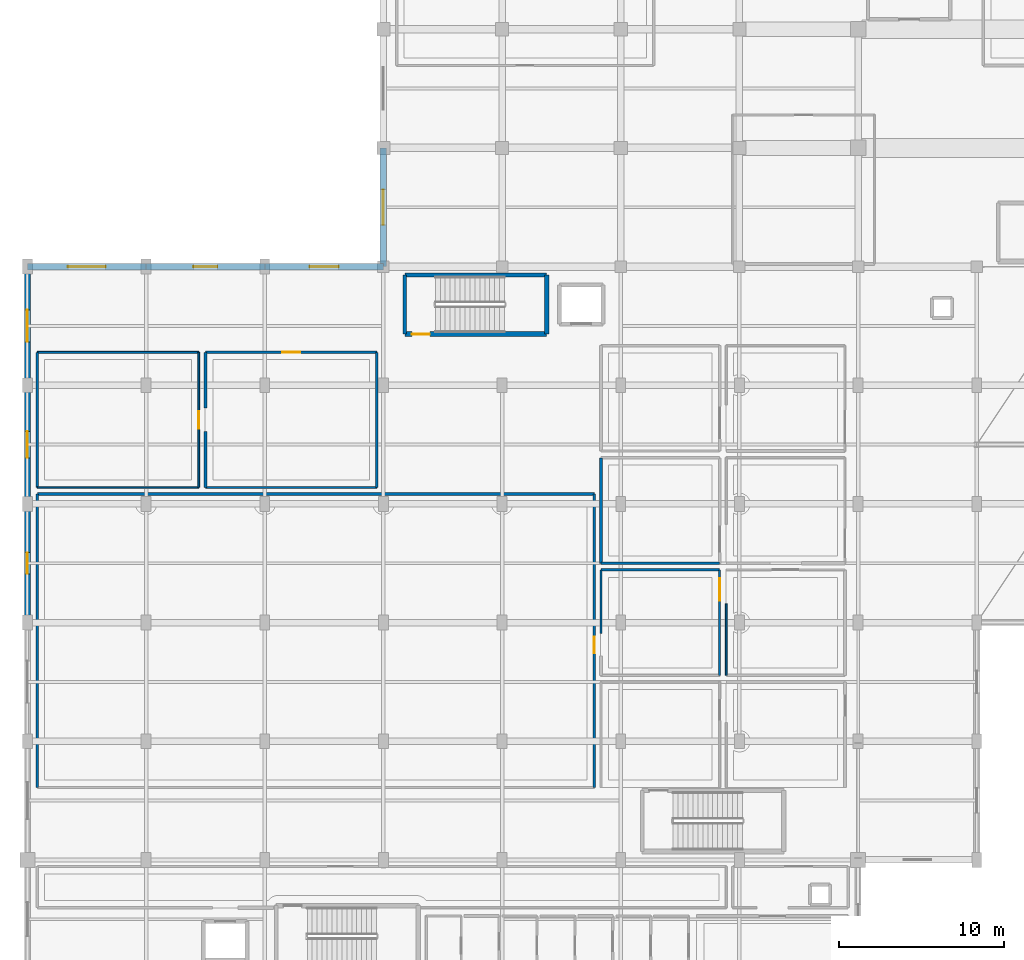
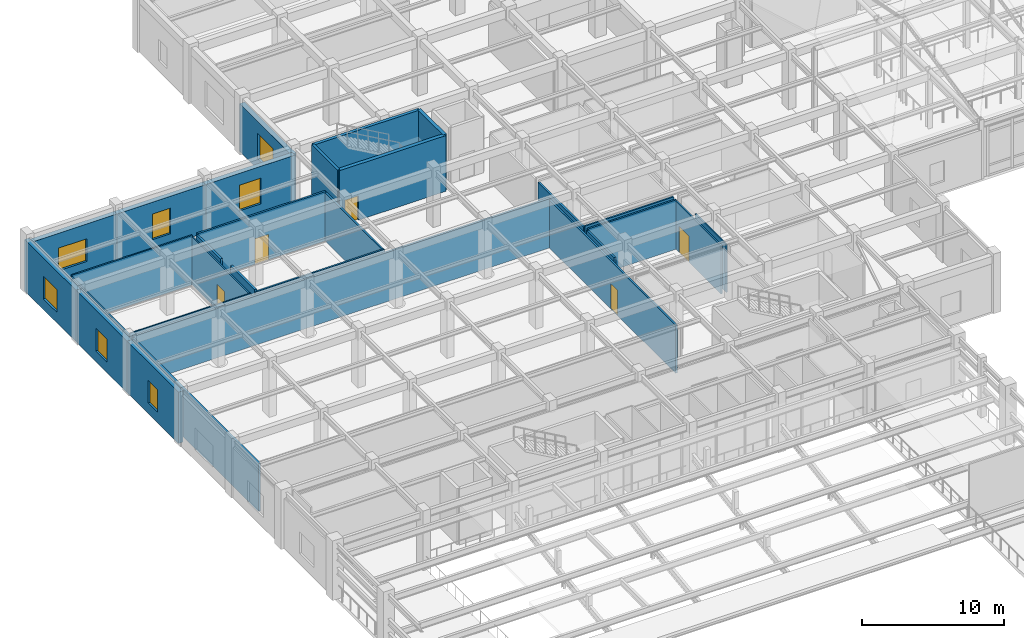
# One storey, part 89 of 117: 29 walls, 7 windows, 5 doors, 12 openings.
"""IFC4 building model written with IfcOpenShell, lengths in metres."""

from ifc_helpers import new_model, si_unit, direction, frame, frame_2d, origin, place, context, subcontext, project, spatial, rectangle, extrude, material, layer, layer_set, type_object, element, fill, save


model = new_model("IFC4")

# Units and contexts
model_context = context("Model", 3, precision=1e-05, world=origin(), true_north=direction((0.0, 1.0)))
body_context = subcontext(model_context, "Body", "Model", "MODEL_VIEW")
ifc_project = project(units=[si_unit("LENGTHUNIT", "METRE"), si_unit("AREAUNIT", "SQUARE_METRE"), si_unit("VOLUMEUNIT", "CUBIC_METRE"), si_unit("PLANEANGLEUNIT", "RADIAN"), si_unit("MASSUNIT", "GRAM", prefix="KILO")], contexts=[model_context])

# Site, building, storey
site_placement = place(None, origin())
site = spatial("IfcSite", under=ifc_project, at=site_placement, CompositionType="ELEMENT")
building_placement = place(site_placement, origin())
building = spatial("IfcBuilding", under=site, at=building_placement, Name="Carrowvane Square Congress Hotel", CompositionType="ELEMENT")
storey_placement = place(building_placement, frame((0.0, 0.0, 5.39990234375)))
storey = spatial("IfcBuildingStorey", under=building, at=storey_placement, Name="L01", CompositionType="ELEMENT", Elevation=5.39990234375)

# Wall, opening, window
ifc_material_1 = material(Name="Portland limestone cladding", Category="masonry")
ifc_layer_1 = layer(ifc_material_1, 0.3798828125)
ifc_layer_set_1 = layer_set([ifc_layer_1], Name="Portland limestone cladding")
wall_type_1 = type_object("IfcWallType", Name="WL-EXT-LS380", PredefinedType="STANDARD", material=ifc_layer_set_1)
wall_1_placement = place(storey_placement, frame((11.60009765625, 70.199951171875, 0.0), z_axis=(0.0, 0.0, 1.0), x_axis=(0.0, 1.0, 0.0)))
wall_1 = element("IfcWall", 1, at=wall_1_placement, inside=storey, type_object=wall_type_1, Name="L01 exterior facade wall 207", PredefinedType="STANDARD", context=body_context, shape_type="SweptSolid", body=[
    extrude(rectangle(XDim=7.199951171875, YDim=0.3798828125, at=frame_2d((3.60009765625, 0.0))), origin(), (0.0, 0.0, 1.0), 4.406982421875),
])
opening_1_placement = place(wall_1_placement, frame((2.949951171875, 0.0, 0.89990234375)))
opening_1 = element("IfcOpeningElement", 2, at=opening_1_placement, cuts=wall_1, Name="Opening W-29", PredefinedType="OPENING", context=body_context, shape_type="SweptSolid", body=[
    extrude(rectangle(XDim=1.300048828125, YDim=1.949951171875, at=frame_2d((0.64990234375, 0.97509765625))), frame((0.0, 0.199951171875, 0.0), z_axis=(0.0, -1.0, 0.0), x_axis=(1.0, 0.0, 0.0)), (0.0, 0.0, 1.0), 0.39990234375),
])
ifc_material_2 = material(Name="Double-glazed low-E glass", Category="glass")
window_type_1 = type_object("IfcWindowType", Name="WIN-29", PartitioningType="SINGLE_PANEL", PredefinedType="WINDOW", material=ifc_material_2)
window_1_placement = place(opening_1_placement, origin())
window_1 = element("IfcWindow", 3, at=window_1_placement, inside=storey, type_object=window_type_1, Name="L01 facade window 34", OverallHeight=1.949951171875, OverallWidth=1.300048828125, PartitioningType="SINGLE_PANEL", PredefinedType="WINDOW", context=body_context, shape_type="SweptSolid", body=[
    extrude(rectangle(XDim=1.300048828125, YDim=1.949951171875, at=frame_2d((0.64990234375, 0.97509765625))), frame((0.0, 0.030029296875, 0.0), z_axis=(0.0, -1.0, 0.0), x_axis=(1.0, 0.0, 0.0)), (0.0, 0.0, 1.0), 0.06005859375),
])
fill(opening_1, window_1)

wall_2_placement = place(storey_placement, frame((11.60009765625, 77.39990234375, 0.0), z_axis=(0.0, 0.0, 1.0), x_axis=(0.0, 1.0, 0.0)))
wall_2 = element("IfcWall", 4, at=wall_2_placement, inside=storey, type_object=wall_type_1, Name="L01 exterior facade wall 208", PredefinedType="STANDARD", context=body_context, shape_type="SweptSolid", body=[
    extrude(rectangle(XDim=7.2001953125, YDim=0.3798828125, at=frame_2d((3.60009765625, 0.0))), origin(), (0.0, 0.0, 1.0), 4.406982421875),
])
opening_2_placement = place(wall_2_placement, frame((2.800048828125, 0.0, 0.89990234375)))
opening_2 = element("IfcOpeningElement", 5, at=opening_2_placement, cuts=wall_2, Name="Opening W-30", PredefinedType="OPENING", context=body_context, shape_type="SweptSolid", body=[
    extrude(rectangle(XDim=1.60009765625, YDim=1.949951171875, at=frame_2d((0.800048828125, 0.97509765625))), frame((0.0, 0.199951171875, 0.0), z_axis=(0.0, -1.0, 0.0), x_axis=(1.0, 0.0, 0.0)), (0.0, 0.0, 1.0), 0.39990234375),
])
ifc_material_3 = material(Name="Double-glazed low-E glass", Category="glass")
window_type_2 = type_object("IfcWindowType", Name="WIN-30", PartitioningType="SINGLE_PANEL", PredefinedType="WINDOW", material=ifc_material_3)
window_2_placement = place(opening_2_placement, origin())
window_2 = element("IfcWindow", 6, at=window_2_placement, inside=storey, type_object=window_type_2, Name="L01 facade window 35", OverallHeight=1.949951171875, OverallWidth=1.60009765625, PartitioningType="SINGLE_PANEL", PredefinedType="WINDOW", context=body_context, shape_type="SweptSolid", body=[
    extrude(rectangle(XDim=1.60009765625, YDim=1.949951171875, at=frame_2d((0.800048828125, 0.97509765625))), frame((0.0, 0.030029296875, 0.0), z_axis=(0.0, -1.0, 0.0), x_axis=(1.0, 0.0, 0.0)), (0.0, 0.0, 1.0), 0.06005859375),
])
fill(opening_2, window_2)

wall_3_placement = place(storey_placement, frame((11.60009765625, 84.60009765625, 0.0), z_axis=(0.0, 0.0, 1.0), x_axis=(0.0, 1.0, 0.0)))
wall_3 = element("IfcWall", 7, at=wall_3_placement, inside=storey, type_object=wall_type_1, Name="L01 exterior facade wall 209", PredefinedType="STANDARD", context=body_context, shape_type="SweptSolid", body=[
    extrude(rectangle(XDim=7.199951171875, YDim=0.3798828125, at=frame_2d((3.60009765625, 0.0))), origin(), (0.0, 0.0, 1.0), 4.406982421875),
])
opening_3_placement = place(wall_3_placement, frame((2.625, 0.0, 0.89990234375)))
opening_3 = element("IfcOpeningElement", 8, at=opening_3_placement, cuts=wall_3, Name="Opening W-31", PredefinedType="OPENING", context=body_context, shape_type="SweptSolid", body=[
    extrude(rectangle(XDim=1.949951171875, YDim=1.949951171875, at=frame_2d((0.97509765625, 0.97509765625))), frame((0.0, 0.199951171875, 0.0), z_axis=(0.0, -1.0, 0.0), x_axis=(1.0, 0.0, 0.0)), (0.0, 0.0, 1.0), 0.39990234375),
])
ifc_material_4 = material(Name="Double-glazed low-E glass", Category="glass")
window_type_3 = type_object("IfcWindowType", Name="WIN-31", PartitioningType="SINGLE_PANEL", PredefinedType="WINDOW", material=ifc_material_4)
window_3_placement = place(opening_3_placement, origin())
window_3 = element("IfcWindow", 9, at=window_3_placement, inside=storey, type_object=window_type_3, Name="L01 facade window 36", OverallHeight=1.949951171875, OverallWidth=1.949951171875, PartitioningType="SINGLE_PANEL", PredefinedType="WINDOW", context=body_context, shape_type="SweptSolid", body=[
    extrude(rectangle(XDim=1.949951171875, YDim=1.949951171875, at=frame_2d((0.97509765625, 0.97509765625))), frame((0.0, 0.030029296875, 0.0), z_axis=(0.0, -1.0, 0.0), x_axis=(1.0, 0.0, 0.0)), (0.0, 0.0, 1.0), 0.06005859375),
])
fill(opening_3, window_3)

ifc_material_5 = material(Name="Glazed terracotta rainscreen", Category="masonry")
ifc_layer_2 = layer(ifc_material_5, 0.39990234375)
ifc_layer_set_2 = layer_set([ifc_layer_2], Name="Glazed terracotta rainscreen")
wall_type_2 = type_object("IfcWallType", Name="WL-EXT-TC400", PredefinedType="STANDARD", material=ifc_layer_set_2)
wall_4_placement = place(storey_placement, frame((11.60009765625, 91.800048828125, 0.0), z_axis=(0.0, 0.0, 1.0), x_axis=(1.0, 0.0, 0.0)))
wall_4 = element("IfcWall", 10, at=wall_4_placement, inside=storey, type_object=wall_type_2, Name="L01 exterior facade wall 210", PredefinedType="STANDARD", context=body_context, shape_type="SweptSolid", body=[
    extrude(rectangle(XDim=7.199951171875, YDim=0.39990234375, at=frame_2d((3.60009765625, 0.0))), origin(), (0.0, 0.0, 1.0), 4.114990234375),
])
opening_4_placement = place(wall_4_placement, frame((2.449951171875, 0.0, 0.89990234375)))
opening_4 = element("IfcOpeningElement", 11, at=opening_4_placement, cuts=wall_4, Name="Opening W-32", PredefinedType="OPENING", context=body_context, shape_type="SweptSolid", body=[
    extrude(rectangle(XDim=2.300048828125, YDim=1.949951171875, at=frame_2d((1.14990234375, 0.97509765625))), frame((0.0, 0.2099609375, 0.0), z_axis=(0.0, -1.0, 0.0), x_axis=(1.0, 0.0, 0.0)), (0.0, 0.0, 1.0), 0.419921875),
])
ifc_material_6 = material(Name="Double-glazed low-E glass", Category="glass")
window_type_4 = type_object("IfcWindowType", Name="WIN-32", PartitioningType="SINGLE_PANEL", PredefinedType="WINDOW", material=ifc_material_6)
window_4_placement = place(opening_4_placement, origin())
window_4 = element("IfcWindow", 12, at=window_4_placement, inside=storey, type_object=window_type_4, Name="L01 facade window 37", OverallHeight=1.949951171875, OverallWidth=2.300048828125, PartitioningType="SINGLE_PANEL", PredefinedType="WINDOW", context=body_context, shape_type="SweptSolid", body=[
    extrude(rectangle(XDim=2.300048828125, YDim=1.949951171875, at=frame_2d((1.14990234375, 0.97509765625))), frame((0.0, 0.030029296875, 0.0), z_axis=(0.0, -1.0, 0.0), x_axis=(1.0, 0.0, 0.0)), (0.0, 0.0, 1.0), 0.06005859375),
])
fill(opening_4, window_4)

wall_5_placement = place(storey_placement, frame((18.800048828125, 91.800048828125, 0.0), z_axis=(0.0, 0.0, 1.0), x_axis=(1.0, 0.0, 0.0)))
wall_5 = element("IfcWall", 13, at=wall_5_placement, inside=storey, type_object=wall_type_2, Name="L01 exterior facade wall 211", PredefinedType="STANDARD", context=body_context, shape_type="SweptSolid", body=[
    extrude(rectangle(XDim=7.199951171875, YDim=0.39990234375, at=frame_2d((3.60009765625, 0.0))), origin(), (0.0, 0.0, 1.0), 4.114990234375),
])
opening_5_placement = place(wall_5_placement, frame((2.875, 0.0, 0.89990234375)))
opening_5 = element("IfcOpeningElement", 14, at=opening_5_placement, cuts=wall_5, Name="Opening W-33", PredefinedType="OPENING", context=body_context, shape_type="SweptSolid", body=[
    extrude(rectangle(XDim=1.449951171875, YDim=2.199951171875, at=frame_2d((0.72509765625, 1.10009765625))), frame((0.0, 0.2099609375, 0.0), z_axis=(0.0, -1.0, 0.0), x_axis=(1.0, 0.0, 0.0)), (0.0, 0.0, 1.0), 0.419921875),
])
ifc_material_7 = material(Name="Double-glazed low-E glass", Category="glass")
window_type_5 = type_object("IfcWindowType", Name="WIN-33", PartitioningType="SINGLE_PANEL", PredefinedType="WINDOW", material=ifc_material_7)
window_5_placement = place(opening_5_placement, origin())
window_5 = element("IfcWindow", 15, at=window_5_placement, inside=storey, type_object=window_type_5, Name="L01 facade window 38", OverallHeight=2.199951171875, OverallWidth=1.449951171875, PartitioningType="SINGLE_PANEL", PredefinedType="WINDOW", context=body_context, shape_type="SweptSolid", body=[
    extrude(rectangle(XDim=1.449951171875, YDim=2.199951171875, at=frame_2d((0.72509765625, 1.10009765625))), frame((0.0, 0.030029296875, 0.0), z_axis=(0.0, -1.0, 0.0), x_axis=(1.0, 0.0, 0.0)), (0.0, 0.0, 1.0), 0.06005859375),
])
fill(opening_5, window_5)

wall_6_placement = place(storey_placement, frame((26.0, 91.800048828125, 0.0), z_axis=(0.0, 0.0, 1.0), x_axis=(1.0, 0.0, 0.0)))
wall_6 = element("IfcWall", 16, at=wall_6_placement, inside=storey, type_object=wall_type_2, Name="L01 exterior facade wall 212", PredefinedType="STANDARD", context=body_context, shape_type="SweptSolid", body=[
    extrude(rectangle(XDim=7.199951171875, YDim=0.39990234375, at=frame_2d((3.60009765625, 0.0))), origin(), (0.0, 0.0, 1.0), 4.114990234375),
])
opening_6_placement = place(wall_6_placement, frame((2.72509765625, 0.0, 0.89990234375)))
opening_6 = element("IfcOpeningElement", 17, at=opening_6_placement, cuts=wall_6, Name="Opening W-34", PredefinedType="OPENING", context=body_context, shape_type="SweptSolid", body=[
    extrude(rectangle(XDim=1.75, YDim=2.199951171875, at=frame_2d((0.875, 1.10009765625))), frame((0.0, 0.2099609375, 0.0), z_axis=(0.0, -1.0, 0.0), x_axis=(1.0, 0.0, 0.0)), (0.0, 0.0, 1.0), 0.419921875),
])
ifc_material_8 = material(Name="Double-glazed low-E glass", Category="glass")
window_type_6 = type_object("IfcWindowType", Name="WIN-34", PartitioningType="SINGLE_PANEL", PredefinedType="WINDOW", material=ifc_material_8)
window_6_placement = place(opening_6_placement, origin())
window_6 = element("IfcWindow", 18, at=window_6_placement, inside=storey, type_object=window_type_6, Name="L01 facade window 39", OverallHeight=2.199951171875, OverallWidth=1.75, PartitioningType="SINGLE_PANEL", PredefinedType="WINDOW", context=body_context, shape_type="SweptSolid", body=[
    extrude(rectangle(XDim=1.75, YDim=2.199951171875, at=frame_2d((0.875, 1.10009765625))), frame((0.0, 0.030029296875, 0.0), z_axis=(0.0, -1.0, 0.0), x_axis=(1.0, 0.0, 0.0)), (0.0, 0.0, 1.0), 0.06005859375),
])
fill(opening_6, window_6)

wall_7_placement = place(storey_placement, frame((33.199951171875, 91.800048828125, 0.0), z_axis=(0.0, 0.0, 1.0), x_axis=(0.0, 1.0, 0.0)))
wall_7 = element("IfcWall", 19, at=wall_7_placement, inside=storey, type_object=wall_type_2, Name="L01 exterior facade wall 213", PredefinedType="STANDARD", context=body_context, shape_type="SweptSolid", body=[
    extrude(rectangle(XDim=7.199951171875, YDim=0.39990234375, at=frame_2d((3.60009765625, 0.0))), origin(), (0.0, 0.0, 1.0), 4.114990234375),
])
opening_7_placement = place(wall_7_placement, frame((2.52490234375, 0.0, 0.89990234375)))
opening_7 = element("IfcOpeningElement", 20, at=opening_7_placement, cuts=wall_7, Name="Opening W-35", PredefinedType="OPENING", context=body_context, shape_type="SweptSolid", body=[
    extrude(rectangle(XDim=2.14990234375, YDim=2.199951171875, at=frame_2d((1.074951171875, 1.10009765625))), frame((0.0, 0.2099609375, 0.0), z_axis=(0.0, -1.0, 0.0), x_axis=(1.0, 0.0, 0.0)), (0.0, 0.0, 1.0), 0.419921875),
])
ifc_material_9 = material(Name="Double-glazed low-E glass", Category="glass")
window_type_7 = type_object("IfcWindowType", Name="WIN-35", PartitioningType="SINGLE_PANEL", PredefinedType="WINDOW", material=ifc_material_9)
window_7_placement = place(opening_7_placement, origin())
window_7 = element("IfcWindow", 21, at=window_7_placement, inside=storey, type_object=window_type_7, Name="L01 facade window 40", OverallHeight=2.199951171875, OverallWidth=2.14990234375, PartitioningType="SINGLE_PANEL", PredefinedType="WINDOW", context=body_context, shape_type="SweptSolid", body=[
    extrude(rectangle(XDim=2.14990234375, YDim=2.199951171875, at=frame_2d((1.074951171875, 1.10009765625))), frame((0.0, 0.030029296875, 0.0), z_axis=(0.0, -1.0, 0.0), x_axis=(1.0, 0.0, 0.0)), (0.0, 0.0, 1.0), 0.06005859375),
])
fill(opening_7, window_7)

# Wall
ifc_material_10 = material(Name="Acoustic gypsum board", Category="gypsum")
ifc_layer_3 = layer(ifc_material_10, 0.155029296875)
ifc_layer_set_3 = layer_set([ifc_layer_3], Name="Acoustic gypsum board")
wall_type_3 = type_object("IfcWallType", Name="WL-FIR-155", PredefinedType="PARTITIONING", material=ifc_layer_set_3)
wall_8_placement = place(storey_placement, frame((12.199951171875, 78.0, 0.0), z_axis=(0.0, 0.0, 1.0), x_axis=(1.0, 0.0, 0.0)))
element("IfcWall", 22, at=wall_8_placement, inside=storey, type_object=wall_type_3, Name="L01 Thermal Spa Pool and Vitality Hall partition", PredefinedType="PARTITIONING", context=body_context, shape_type="SweptSolid", body=[
    extrude(rectangle(XDim=33.800048828125, YDim=0.155029296875, at=frame_2d((16.89990234375, 0.0))), origin(), (0.0, 0.0, 1.0), 4.228515625),
])

# Wall, opening, door
wall_9_placement = place(storey_placement, frame((22.39990234375, 86.60009765625, 0.0), z_axis=(0.0, 0.0, 1.0), x_axis=(1.0, 0.0, 0.0)))
wall_9 = element("IfcWall", 23, at=wall_9_placement, inside=storey, type_object=wall_type_3, Name="L01 Aromatic Botanical Steam Room partition", PredefinedType="PARTITIONING", context=body_context, shape_type="SweptSolid", body=[
    extrude(rectangle(XDim=10.400146484375, YDim=0.155029296875, at=frame_2d((5.2001953125, 0.0))), origin(), (0.0, 0.0, 1.0), 4.228515625),
])
opening_8_placement = place(wall_9_placement, frame((4.64990234375, 0.0, 0.0)))
opening_8 = element("IfcOpeningElement", 24, at=opening_8_placement, cuts=wall_9, Name="Opening ID-22", PredefinedType="OPENING", context=body_context, shape_type="SweptSolid", body=[
    extrude(rectangle(XDim=1.10009765625, YDim=2.179931640625, at=frame_2d((0.550048828125, 1.08984375))), frame((0.0, 0.08740234375, 0.0), z_axis=(0.0, -1.0, 0.0), x_axis=(1.0, 0.0, 0.0)), (0.0, 0.0, 1.0), 0.175048828125),
])
ifc_material_11 = material(Name="European oak timber", Category="wood")
door_type_1 = type_object("IfcDoorType", Name="DR-INT-1100x2180", OperationType="NOTDEFINED", PredefinedType="DOOR", material=ifc_material_11)
door_1_placement = place(opening_8_placement, origin())
door_1 = element("IfcDoor", 25, at=door_1_placement, inside=storey, type_object=door_type_1, Name="L01 Aromatic Botanical Steam Room entrance door", OperationType="SINGLE_SWING_LEFT", OverallHeight=2.179931640625, OverallWidth=1.10009765625, PredefinedType="DOOR", context=body_context, shape_type="SweptSolid", body=[
    extrude(rectangle(XDim=1.10009765625, YDim=2.179931640625, at=frame_2d((0.550048828125, 1.08984375))), frame((0.0, 0.02490234375, 0.0), z_axis=(0.0, -1.0, 0.0), x_axis=(1.0, 0.0, 0.0)), (0.0, 0.0, 1.0), 0.050048828125),
])
fill(opening_8, door_1)

# Walls
wall_10_placement = place(storey_placement, frame((46.39990234375, 73.800048828125, 0.0), z_axis=(0.0, 0.0, 1.0), x_axis=(0.0, 1.0, 0.0)))
element("IfcWall", 26, at=wall_10_placement, inside=storey, type_object=wall_type_3, Name="L01 Thermal Treatment Suite 105 partition", PredefinedType="PARTITIONING", context=body_context, shape_type="SweptSolid", body=[
    extrude(rectangle(XDim=6.39990234375, YDim=0.155029296875, at=frame_2d((3.199951171875, 0.0))), origin(), (0.0, 0.0, 1.0), 4.114990234375),
])
ifc_material_12 = material(Name="Acoustic gypsum board", Category="gypsum")
ifc_layer_4 = layer(ifc_material_12, 0.169921875)
ifc_layer_set_4 = layer_set([ifc_layer_4], Name="Acoustic gypsum board")
wall_type_4 = type_object("IfcWallType", Name="WL-FIR-170", PredefinedType="PARTITIONING", material=ifc_layer_set_4)
wall_11_placement = place(storey_placement, frame((12.199951171875, 60.199951171875, 0.0), z_axis=(0.0, 0.0, 1.0), x_axis=(0.0, 1.0, 0.0)))
element("IfcWall", 27, at=wall_11_placement, inside=storey, type_object=wall_type_4, Name="L01 Thermal Spa Pool and Vitality Hall partition", PredefinedType="PARTITIONING", context=body_context, shape_type="SweptSolid", body=[
    extrude(rectangle(XDim=17.800048828125, YDim=0.169921875, at=frame_2d((8.89990234375, 0.0))), origin(), (0.0, 0.0, 1.0), 4.114990234375),
])
wall_12_placement = place(storey_placement, frame((22.39990234375, 83.205078125, 0.0), z_axis=(0.0, 0.0, 1.0), x_axis=(0.0, 1.0, 0.0)))
element("IfcWall", 28, at=wall_12_placement, inside=storey, type_object=wall_type_4, Name="L01 Aromatic Botanical Steam Room partition", PredefinedType="PARTITIONING", context=body_context, shape_type="SweptSolid", body=[
    extrude(rectangle(XDim=3.39501953125, YDim=0.169921875, at=frame_2d((1.697509765625, 0.0))), origin(), (0.0, 0.0, 1.0), 4.114990234375),
])
ifc_material_13 = material(Name="Acoustic gypsum board", Category="gypsum")
ifc_layer_5 = layer(ifc_material_13, 0.18505859375)
ifc_layer_set_5 = layer_set([ifc_layer_5], Name="Acoustic gypsum board")
wall_type_5 = type_object("IfcWallType", Name="WL-FIR-185", PredefinedType="PARTITIONING", material=ifc_layer_set_5)
wall_13_placement = place(storey_placement, frame((22.39990234375, 78.39990234375, 0.0), z_axis=(0.0, 0.0, 1.0), x_axis=(0.0, 1.0, 0.0)))
element("IfcWall", 29, at=wall_13_placement, inside=storey, type_object=wall_type_5, Name="L01 Aromatic Botanical Steam Room partition", PredefinedType="PARTITIONING", context=body_context, shape_type="SweptSolid", body=[
    extrude(rectangle(XDim=3.39501953125, YDim=0.18505859375, at=frame_2d((1.697509765625, 0.0))), origin(), (0.0, 0.0, 1.0), 4.406982421875),
])
ifc_material_14 = material(Name="Acoustic gypsum board", Category="gypsum")
ifc_layer_6 = layer(ifc_material_14, 0.097900390625)
ifc_layer_set_6 = layer_set([ifc_layer_6], Name="Acoustic gypsum board")
wall_type_6 = type_object("IfcWallType", Name="WL-PRT-098", PredefinedType="PARTITIONING", material=ifc_layer_set_6)
wall_14_placement = place(storey_placement, frame((22.0, 78.39990234375, 0.0), z_axis=(0.0, 0.0, 1.0), x_axis=(-1.0, 0.0, 0.0)))
element("IfcWall", 30, at=wall_14_placement, inside=storey, type_object=wall_type_6, Name="L01 Cedar Finnish Sauna Suite partition", PredefinedType="PARTITIONING", context=body_context, shape_type="SweptSolid", body=[
    extrude(rectangle(XDim=9.800048828125, YDim=0.097900390625, at=frame_2d((4.89990234375, 0.0))), origin(), (0.0, 0.0, 1.0), 4.228515625),
])

# Wall, opening, door
ifc_material_15 = material(Name="Acoustic gypsum board", Category="gypsum")
ifc_layer_7 = layer(ifc_material_15, 0.10791015625)
ifc_layer_set_7 = layer_set([ifc_layer_7], Name="Acoustic gypsum board")
wall_type_7 = type_object("IfcWallType", Name="WL-PRT-108", PredefinedType="PARTITIONING", material=ifc_layer_set_7)
wall_15_placement = place(storey_placement, frame((22.0, 86.60009765625, 0.0), z_axis=(0.0, 0.0, 1.0), x_axis=(0.0, -1.0, 0.0)))
wall_15 = element("IfcWall", 31, at=wall_15_placement, inside=storey, type_object=wall_type_7, Name="L01 Cedar Finnish Sauna Suite partition", PredefinedType="PARTITIONING", context=body_context, shape_type="SweptSolid", body=[
    extrude(rectangle(XDim=8.2001953125, YDim=0.10791015625, at=frame_2d((4.10009765625, 0.0))), origin(), (0.0, 0.0, 1.0), 4.114990234375),
])
opening_9_placement = place(wall_15_placement, frame((3.574951171875, 0.0, 0.0)))
opening_9 = element("IfcOpeningElement", 32, at=opening_9_placement, cuts=wall_15, Name="Opening ID-21", PredefinedType="OPENING", context=body_context, shape_type="SweptSolid", body=[
    extrude(rectangle(XDim=1.050048828125, YDim=2.179931640625, at=frame_2d((0.52490234375, 1.08984375))), frame((0.0, 0.06396484375, 0.0), z_axis=(0.0, -1.0, 0.0), x_axis=(1.0, 0.0, 0.0)), (0.0, 0.0, 1.0), 0.1279296875),
])
ifc_material_16 = material(Name="European oak timber", Category="wood")
door_type_2 = type_object("IfcDoorType", Name="DR-INT-1050x2180", OperationType="NOTDEFINED", PredefinedType="DOOR", material=ifc_material_16)
door_2_placement = place(opening_9_placement, origin())
door_2 = element("IfcDoor", 33, at=door_2_placement, inside=storey, type_object=door_type_2, Name="L01 Cedar Finnish Sauna Suite entrance door", OperationType="SINGLE_SWING_RIGHT", OverallHeight=2.179931640625, OverallWidth=1.050048828125, PredefinedType="DOOR", context=body_context, shape_type="SweptSolid", body=[
    extrude(rectangle(XDim=1.050048828125, YDim=2.179931640625, at=frame_2d((0.52490234375, 1.08984375))), frame((0.0, 0.02490234375, 0.0), z_axis=(0.0, -1.0, 0.0), x_axis=(1.0, 0.0, 0.0)), (0.0, 0.0, 1.0), 0.050048828125),
])
fill(opening_9, door_2)

# Walls
wall_16_placement = place(storey_placement, frame((54.0, 67.0, 0.0), z_axis=(0.0, 0.0, 1.0), x_axis=(0.0, 1.0, 0.0)))
element("IfcWall", 34, at=wall_16_placement, inside=storey, type_object=wall_type_7, Name="L01 Thermal Treatment Suite 104 partition", PredefinedType="PARTITIONING", context=body_context, shape_type="SweptSolid", body=[
    extrude(rectangle(XDim=4.340087890625, YDim=0.10791015625, at=frame_2d((2.169921875, 0.0))), origin(), (0.0, 0.0, 1.0), 4.114990234375),
])
ifc_material_17 = material(Name="Acoustic gypsum board", Category="gypsum")
ifc_layer_8 = layer(ifc_material_17, 0.117919921875)
ifc_layer_set_8 = layer_set([ifc_layer_8], Name="Acoustic gypsum board")
wall_type_8 = type_object("IfcWallType", Name="WL-PRT-118", PredefinedType="PARTITIONING", material=ifc_layer_set_8)
wall_17_placement = place(storey_placement, frame((12.199951171875, 86.60009765625, 0.0), z_axis=(0.0, 0.0, 1.0), x_axis=(1.0, 0.0, 0.0)))
element("IfcWall", 35, at=wall_17_placement, inside=storey, type_object=wall_type_8, Name="L01 Cedar Finnish Sauna Suite partition", PredefinedType="PARTITIONING", context=body_context, shape_type="SweptSolid", body=[
    extrude(rectangle(XDim=9.800048828125, YDim=0.117919921875, at=frame_2d((4.89990234375, 0.0))), origin(), (0.0, 0.0, 1.0), 4.228515625),
])
ifc_material_18 = material(Name="Acoustic gypsum board", Category="gypsum")
ifc_layer_9 = layer(ifc_material_18, 0.1279296875)
ifc_layer_set_9 = layer_set([ifc_layer_9], Name="Acoustic gypsum board")
wall_type_9 = type_object("IfcWallType", Name="WL-PRT-128", PredefinedType="PARTITIONING", material=ifc_layer_set_9)
wall_18_placement = place(storey_placement, frame((12.199951171875, 78.39990234375, 0.0), z_axis=(0.0, 0.0, 1.0), x_axis=(0.0, 1.0, 0.0)))
element("IfcWall", 36, at=wall_18_placement, inside=storey, type_object=wall_type_9, Name="L01 Cedar Finnish Sauna Suite partition", PredefinedType="PARTITIONING", context=body_context, shape_type="SweptSolid", body=[
    extrude(rectangle(XDim=8.2001953125, YDim=0.1279296875, at=frame_2d((4.10009765625, 0.0))), origin(), (0.0, 0.0, 1.0), 4.114990234375),
])

# Wall, opening, door
wall_19_placement = place(storey_placement, frame((53.60009765625, 73.39990234375, 0.0), z_axis=(0.0, 0.0, 1.0), x_axis=(0.0, -1.0, 0.0)))
wall_19 = element("IfcWall", 37, at=wall_19_placement, inside=storey, type_object=wall_type_9, Name="L01 Thermal Treatment Suite 103 partition", PredefinedType="PARTITIONING", context=body_context, shape_type="SweptSolid", body=[
    extrude(rectangle(XDim=6.39990234375, YDim=0.1279296875, at=frame_2d((3.199951171875, 0.0))), origin(), (0.0, 0.0, 1.0), 4.114990234375),
])
opening_10_placement = place(wall_19_placement, frame((0.52001953125, 0.0, 0.0)))
opening_10 = element("IfcOpeningElement", 38, at=opening_10_placement, cuts=wall_19, Name="Opening ID-25", PredefinedType="OPENING", context=body_context, shape_type="SweptSolid", body=[
    extrude(rectangle(XDim=1.360107421875, YDim=2.219970703125, at=frame_2d((0.68017578125, 1.10986328125))), frame((0.0, 0.073974609375, 0.0), z_axis=(0.0, -1.0, 0.0), x_axis=(1.0, 0.0, 0.0)), (0.0, 0.0, 1.0), 0.14794921875),
])
ifc_material_19 = material(Name="European oak timber", Category="wood")
door_type_3 = type_object("IfcDoorType", Name="DR-INT-1360x2220", OperationType="DOUBLE_DOOR_SINGLE_SWING", PredefinedType="DOOR", material=ifc_material_19)
door_3_placement = place(opening_10_placement, origin())
door_3 = element("IfcDoor", 39, at=door_3_placement, inside=storey, type_object=door_type_3, Name="L01 Thermal Treatment Suite 103 entrance door", OperationType="DOUBLE_DOOR_SINGLE_SWING", OverallHeight=2.219970703125, OverallWidth=1.360107421875, PredefinedType="DOOR", context=body_context, shape_type="SweptSolid", body=[
    extrude(rectangle(XDim=1.360107421875, YDim=2.219970703125, at=frame_2d((0.68017578125, 1.10986328125))), frame((0.0, 0.02490234375, 0.0), z_axis=(0.0, -1.0, 0.0), x_axis=(1.0, 0.0, 0.0)), (0.0, 0.0, 1.0), 0.050048828125),
])
fill(opening_10, door_3)

# Walls
wall_20_placement = place(storey_placement, frame((53.60009765625, 73.800048828125, 0.0), z_axis=(0.0, 0.0, 1.0), x_axis=(-1.0, 0.0, 0.0)))
element("IfcWall", 40, at=wall_20_placement, inside=storey, type_object=wall_type_9, Name="L01 Thermal Treatment Suite 105 partition", PredefinedType="PARTITIONING", context=body_context, shape_type="SweptSolid", body=[
    extrude(rectangle(XDim=7.2001953125, YDim=0.1279296875, at=frame_2d((3.60009765625, 0.0))), origin(), (0.0, 0.0, 1.0), 4.228515625),
])
ifc_material_20 = material(Name="Acoustic gypsum board", Category="gypsum")
ifc_layer_10 = layer(ifc_material_20, 0.137939453125)
ifc_layer_set_10 = layer_set([ifc_layer_10], Name="Acoustic gypsum board")
wall_type_10 = type_object("IfcWallType", Name="WL-PRT-138", PredefinedType="PARTITIONING", material=ifc_layer_set_10)
wall_21_placement = place(storey_placement, frame((32.800048828125, 78.39990234375, 0.0), z_axis=(0.0, 0.0, 1.0), x_axis=(-1.0, 0.0, 0.0)))
element("IfcWall", 41, at=wall_21_placement, inside=storey, type_object=wall_type_10, Name="L01 Aromatic Botanical Steam Room partition", PredefinedType="PARTITIONING", context=body_context, shape_type="SweptSolid", body=[
    extrude(rectangle(XDim=10.400146484375, YDim=0.137939453125, at=frame_2d((5.2001953125, 0.0))), origin(), (0.0, 0.0, 1.0), 4.228515625),
])
wall_22_placement = place(storey_placement, frame((46.39990234375, 73.39990234375, 0.0), z_axis=(0.0, 0.0, 1.0), x_axis=(1.0, 0.0, 0.0)))
element("IfcWall", 42, at=wall_22_placement, inside=storey, type_object=wall_type_10, Name="L01 Thermal Treatment Suite 103 partition", PredefinedType="PARTITIONING", context=body_context, shape_type="SweptSolid", body=[
    extrude(rectangle(XDim=7.2001953125, YDim=0.137939453125, at=frame_2d((3.60009765625, 0.0))), origin(), (0.0, 0.0, 1.0), 4.228515625),
])

# Wall, opening, door
ifc_material_21 = material(Name="Acoustic gypsum board", Category="gypsum")
ifc_layer_11 = layer(ifc_material_21, 0.14794921875)
ifc_layer_set_11 = layer_set([ifc_layer_11], Name="Acoustic gypsum board")
wall_type_11 = type_object("IfcWallType", Name="WL-PRT-148", PredefinedType="PARTITIONING", material=ifc_layer_set_11)
wall_23_placement = place(storey_placement, frame((46.0, 78.0, 0.0), z_axis=(0.0, 0.0, 1.0), x_axis=(0.0, -1.0, 0.0)))
wall_23 = element("IfcWall", 43, at=wall_23_placement, inside=storey, type_object=wall_type_11, Name="L01 Thermal Spa Pool and Vitality Hall partition", PredefinedType="PARTITIONING", context=body_context, shape_type="SweptSolid", body=[
    extrude(rectangle(XDim=17.800048828125, YDim=0.14794921875, at=frame_2d((8.89990234375, 0.0))), origin(), (0.0, 0.0, 1.0), 4.114990234375),
])
opening_11_placement = place(wall_23_placement, frame((8.64501953125, 0.0, 0.0)))
opening_11 = element("IfcOpeningElement", 44, at=opening_11_placement, cuts=wall_23, Name="Opening ID-20", PredefinedType="OPENING", context=body_context, shape_type="SweptSolid", body=[
    extrude(rectangle(XDim=1.010009765625, YDim=2.159912109375, at=frame_2d((0.5048828125, 1.080078125))), frame((0.0, 0.083984375, 0.0), z_axis=(0.0, -1.0, 0.0), x_axis=(1.0, 0.0, 0.0)), (0.0, 0.0, 1.0), 0.16796875),
])
ifc_material_22 = material(Name="European oak timber", Category="wood")
door_type_4 = type_object("IfcDoorType", Name="DR-INT-1010x2160", OperationType="NOTDEFINED", PredefinedType="DOOR", material=ifc_material_22)
door_4_placement = place(opening_11_placement, origin())
door_4 = element("IfcDoor", 45, at=door_4_placement, inside=storey, type_object=door_type_4, Name="L01 Thermal Spa Pool and Vitality Hall entrance door", OperationType="SINGLE_SWING_LEFT", OverallHeight=2.159912109375, OverallWidth=1.010009765625, PredefinedType="DOOR", context=body_context, shape_type="SweptSolid", body=[
    extrude(rectangle(XDim=1.010009765625, YDim=2.159912109375, at=frame_2d((0.5048828125, 1.080078125))), frame((0.0, 0.02490234375, 0.0), z_axis=(0.0, -1.0, 0.0), x_axis=(1.0, 0.0, 0.0)), (0.0, 0.0, 1.0), 0.050048828125),
])
fill(opening_11, door_4)

# Walls
wall_24_placement = place(storey_placement, frame((32.800048828125, 86.60009765625, 0.0), z_axis=(0.0, 0.0, 1.0), x_axis=(0.0, -1.0, 0.0)))
element("IfcWall", 46, at=wall_24_placement, inside=storey, type_object=wall_type_11, Name="L01 Aromatic Botanical Steam Room partition", PredefinedType="PARTITIONING", context=body_context, shape_type="SweptSolid", body=[
    extrude(rectangle(XDim=8.2001953125, YDim=0.14794921875, at=frame_2d((4.10009765625, 0.0))), origin(), (0.0, 0.0, 1.0), 4.114990234375),
])
wall_25_placement = place(storey_placement, frame((46.39990234375, 69.534912109375, 0.0), z_axis=(0.0, 0.0, 1.0), x_axis=(0.0, 1.0, 0.0)))
element("IfcWall", 47, at=wall_25_placement, inside=storey, type_object=wall_type_11, Name="L01 Thermal Treatment Suite 103 partition", PredefinedType="PARTITIONING", context=body_context, shape_type="SweptSolid", body=[
    extrude(rectangle(XDim=3.864990234375, YDim=0.14794921875, at=frame_2d((1.9326171875, 0.0))), origin(), (0.0, 0.0, 1.0), 4.114990234375),
])
ifc_material_23 = material(Name="Concrete C40/50", Category="concrete")
ifc_layer_12 = layer(ifc_material_23, 0.22509765625)
ifc_layer_set_12 = layer_set([ifc_layer_12], Name="Concrete C40/50")
wall_type_12 = type_object("IfcWallType", Name="WL-SHR-225", PredefinedType="SHEAR", material=ifc_layer_set_12)
wall_26_placement = place(storey_placement, frame((34.5, 91.300048828125, 0.0), z_axis=(0.0, 0.0, 1.0), x_axis=(0.0, -1.0, 0.0)))
element("IfcWall", 48, at=wall_26_placement, inside=storey, type_object=wall_type_12, Name="L01 ST5 core wall west", PredefinedType="SHEAR", context=body_context, shape_type="SweptSolid", body=[
    extrude(rectangle(XDim=3.60009765625, YDim=0.22509765625, at=frame_2d((1.800048828125, 0.0))), origin(), (0.0, 0.0, 1.0), 4.780029296875),
])
ifc_material_24 = material(Name="Concrete C40/50", Category="concrete")
ifc_layer_13 = layer(ifc_material_24, 0.25)
ifc_layer_set_13 = layer_set([ifc_layer_13], Name="Concrete C40/50")
wall_type_13 = type_object("IfcWallType", Name="WL-SHR-250", PredefinedType="SHEAR", material=ifc_layer_set_13)
wall_27_placement = place(storey_placement, frame((43.10009765625, 91.300048828125, 0.0), z_axis=(0.0, 0.0, 1.0), x_axis=(-1.0, 0.0, 0.0)))
element("IfcWall", 49, at=wall_27_placement, inside=storey, type_object=wall_type_13, Name="L01 ST5 core wall north", PredefinedType="SHEAR", context=body_context, shape_type="SweptSolid", body=[
    extrude(rectangle(XDim=8.60009765625, YDim=0.25, at=frame_2d((4.300048828125, 0.0))), origin(), (0.0, 0.0, 1.0), 4.780029296875),
])
ifc_material_25 = material(Name="Concrete C40/50", Category="concrete")
ifc_layer_14 = layer(ifc_material_25, 0.27490234375)
ifc_layer_set_14 = layer_set([ifc_layer_14], Name="Concrete C40/50")
wall_type_14 = type_object("IfcWallType", Name="WL-SHR-275", PredefinedType="SHEAR", material=ifc_layer_set_14)
wall_28_placement = place(storey_placement, frame((43.10009765625, 87.699951171875, 0.0), z_axis=(0.0, 0.0, 1.0), x_axis=(0.0, 1.0, 0.0)))
element("IfcWall", 50, at=wall_28_placement, inside=storey, type_object=wall_type_14, Name="L01 ST5 core wall east", PredefinedType="SHEAR", context=body_context, shape_type="SweptSolid", body=[
    extrude(rectangle(XDim=3.60009765625, YDim=0.27490234375, at=frame_2d((1.800048828125, 0.0))), origin(), (0.0, 0.0, 1.0), 4.780029296875),
])

# Wall, opening, door
ifc_material_26 = material(Name="Concrete C40/50", Category="concrete")
ifc_layer_15 = layer(ifc_material_26, 0.300048828125)
ifc_layer_set_15 = layer_set([ifc_layer_15], Name="Concrete C40/50")
wall_type_15 = type_object("IfcWallType", Name="WL-SHR-300", PredefinedType="SHEAR", material=ifc_layer_set_15)
wall_29_placement = place(storey_placement, frame((34.5, 87.699951171875, 0.0), z_axis=(0.0, 0.0, 1.0), x_axis=(1.0, 0.0, 0.0)))
wall_29 = element("IfcWall", 51, at=wall_29_placement, inside=storey, type_object=wall_type_15, Name="L01 ST5 core wall south", PredefinedType="SHEAR", context=body_context, shape_type="SweptSolid", body=[
    extrude(rectangle(XDim=8.60009765625, YDim=0.300048828125, at=frame_2d((4.300048828125, 0.0))), origin(), (0.0, 0.0, 1.0), 4.780029296875),
])
opening_12_placement = place(wall_29_placement, frame((0.425048828125, 0.0, 0.0)))
opening_12 = element("IfcOpeningElement", 52, at=opening_12_placement, cuts=wall_29, Name="Opening FD-01", PredefinedType="OPENING", context=body_context, shape_type="SweptSolid", body=[
    extrude(rectangle(XDim=1.10009765625, YDim=2.10009765625, at=frame_2d((0.550048828125, 1.050048828125))), frame((0.0, 0.159912109375, 0.0), z_axis=(0.0, -1.0, 0.0), x_axis=(1.0, 0.0, 0.0)), (0.0, 0.0, 1.0), 0.320068359375),
])
ifc_material_27 = material(Name="European oak timber", Category="wood")
door_type_5 = type_object("IfcDoorType", Name="DR-FD60-1100x2100", OperationType="NOTDEFINED", PredefinedType="DOOR", material=ifc_material_27)
door_5_placement = place(opening_12_placement, origin())
door_5 = element("IfcDoor", 53, at=door_5_placement, inside=storey, type_object=door_type_5, Name="L01 ST5 fire door", OperationType="SINGLE_SWING_RIGHT", OverallHeight=2.10009765625, OverallWidth=1.10009765625, PredefinedType="DOOR", context=body_context, shape_type="SweptSolid", body=[
    extrude(rectangle(XDim=1.10009765625, YDim=2.10009765625, at=frame_2d((0.550048828125, 1.050048828125))), frame((0.0, 0.02490234375, 0.0), z_axis=(0.0, -1.0, 0.0), x_axis=(1.0, 0.0, 0.0)), (0.0, 0.0, 1.0), 0.050048828125),
])
fill(opening_12, door_5)

save(model, "model.ifc")
